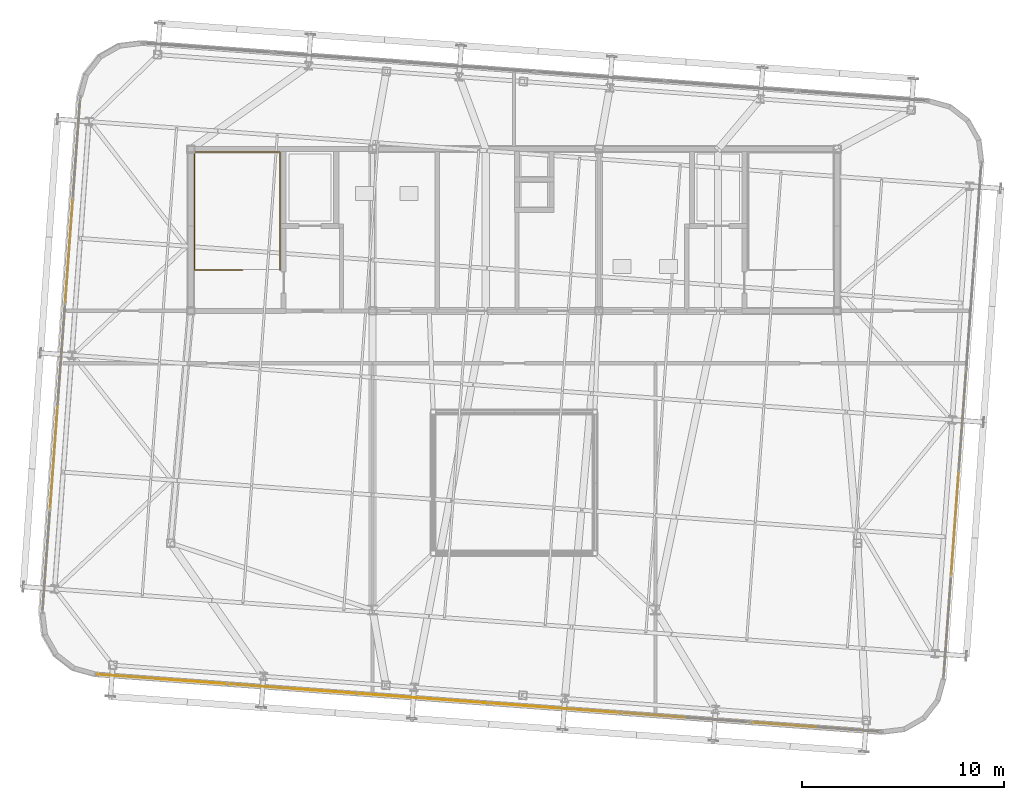
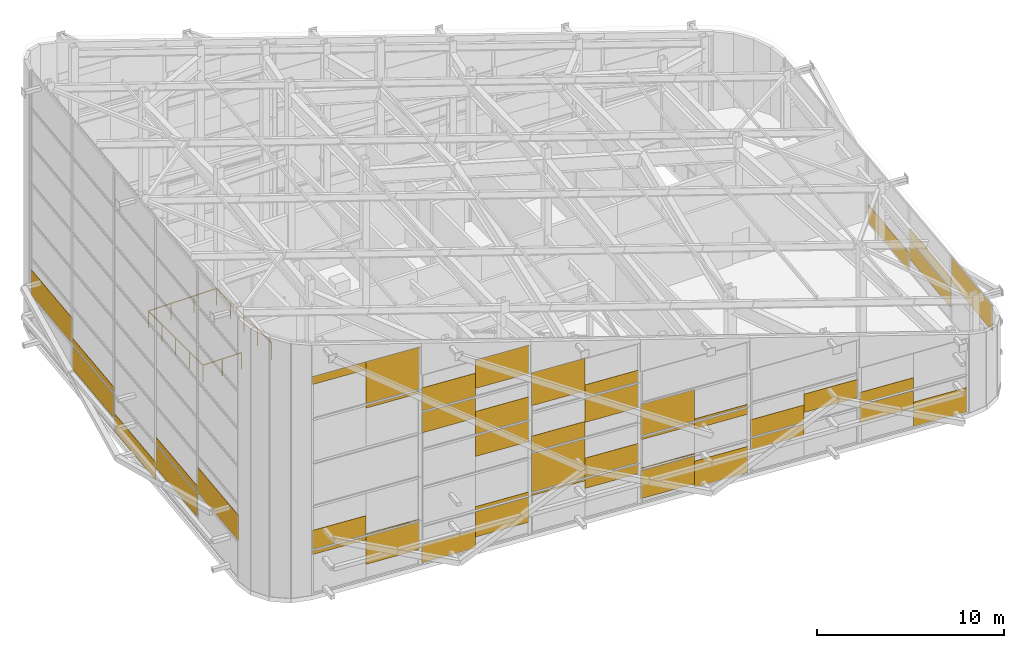
# One storey, part 55 of 56: 47 coverings, 1 railing.
"""IFC4 building model written with IfcOpenShell, lengths in metres."""

from ifc_helpers import new_model, si_unit, direction, frame, origin, origin_2d, place, context, subcontext, project, spatial, rectangle, extrude, source, transform, mapped, material, layer, layer_set, type_object, element, save


model = new_model("IFC4")

# Units and contexts
model_context = context("Model", 3, precision=1e-05, world=origin(), true_north=direction((0.0, 1.0)))
body_context = subcontext(model_context, "Body", "Model", "MODEL_VIEW")
ifc_project = project(units=[si_unit("LENGTHUNIT", "METRE"), si_unit("AREAUNIT", "SQUARE_METRE"), si_unit("VOLUMEUNIT", "CUBIC_METRE"), si_unit("PLANEANGLEUNIT", "RADIAN"), si_unit("MASSUNIT", "GRAM", prefix="KILO")], contexts=[model_context])

# Site, building, storey
site_placement = place(None, origin())
site = spatial("IfcSite", under=ifc_project, at=site_placement, CompositionType="ELEMENT")
building_placement = place(site_placement, origin())
building = spatial("IfcBuilding", under=site, at=building_placement, Name="Taldren Reach Tower", CompositionType="ELEMENT")
storey_placement = place(building_placement, frame((0.0, 0.0, 253.050048828125)))
storey = spatial("IfcBuildingStorey", under=building, at=storey_placement, Name="L77", CompositionType="ELEMENT", Elevation=253.050048828125)

# Railing
ifc_material_1 = material(Name="Steel Gr 350 (C350L0)", Category="steel")
ifc_layer_1 = layer(ifc_material_1, 0.050048828125)
ifc_layer_set_1 = layer_set([ifc_layer_1], Name="Steel Gr 350 (C350L0)")
railing_type = type_object("IfcRailingType", Name="RL-STAIR-GR", PredefinedType="GUARDRAIL", material=ifc_layer_set_1)
railing_placement = place(storey_placement, frame((21.570068359375, 26.010009765625, 0.0)))
element("IfcRailing", 1, at=railing_placement, inside=storey, type_object=railing_type, Name="Top-landing stairwell perimeter guardrail ST1-L77", PredefinedType="GUARDRAIL", context=body_context, shape_type="SweptSolid", body=[
    extrude(rectangle(XDim=0.047852, YDim=0.047852, at=origin_2d()), frame((0.0, 0.0, 1.09619140625), z_axis=(-1.0, 0.0, 0.0), x_axis=(0.0, -1.0, 0.0)), (0.0, 0.0, 1.0), 2.380126953125),
    extrude(rectangle(XDim=0.047852, YDim=0.047852, at=origin_2d()), frame((-2.380126953125, 0.0, 1.09619140625), z_axis=(0.0, 1.0, 0.0), x_axis=(-1.0, 0.0, 0.0)), (0.0, 0.0, 1.0), 5.840087890625),
    extrude(rectangle(XDim=0.047852, YDim=0.047852, at=origin_2d()), frame((-2.380126953125, 5.840087890625, 1.09619140625), z_axis=(1.0, 0.0, 0.0), x_axis=(0.0, 1.0, 0.0)), (0.0, 0.0, 1.0), 4.219970703125),
    extrude(rectangle(XDim=0.047852, YDim=0.047852, at=origin_2d()), frame((1.83984375, 5.840087890625, 1.09619140625), z_axis=(0.0, -1.0, 0.0), x_axis=(1.0, 0.0, 0.0)), (0.0, 0.0, 1.0), 5.840087890625),
    extrude(rectangle(XDim=0.041992, YDim=0.041992, at=origin_2d()), origin(), (0.0, 0.0, 1.0), 1.072021484375),
    extrude(rectangle(XDim=0.041992, YDim=0.041992, at=origin_2d()), frame((-1.18994140625, 0.0, 0.0)), (0.0, 0.0, 1.0), 1.072021484375),
    extrude(rectangle(XDim=0.041992, YDim=0.041992, at=origin_2d()), frame((-2.380126953125, 0.0, 0.0)), (0.0, 0.0, 1.0), 1.072021484375),
    extrude(rectangle(XDim=0.041992, YDim=0.041992, at=origin_2d()), frame((-2.380126953125, 1.4599609375, 0.0)), (0.0, 0.0, 1.0), 1.072021484375),
    extrude(rectangle(XDim=0.041992, YDim=0.041992, at=origin_2d()), frame((-2.380126953125, 2.919921875, 0.0)), (0.0, 0.0, 1.0), 1.072021484375),
    extrude(rectangle(XDim=0.041992, YDim=0.041992, at=origin_2d()), frame((-2.380126953125, 4.380126953125, 0.0)), (0.0, 0.0, 1.0), 1.072021484375),
    extrude(rectangle(XDim=0.041992, YDim=0.041992, at=origin_2d()), frame((-2.380126953125, 5.840087890625, 0.0)), (0.0, 0.0, 1.0), 1.072021484375),
    extrude(rectangle(XDim=0.041992, YDim=0.041992, at=origin_2d()), frame((-0.973388671875, 5.840087890625, 0.0)), (0.0, 0.0, 1.0), 1.072021484375),
    extrude(rectangle(XDim=0.041992, YDim=0.041992, at=origin_2d()), frame((0.43310546875, 5.840087890625, 0.0)), (0.0, 0.0, 1.0), 1.072021484375),
    extrude(rectangle(XDim=0.041992, YDim=0.041992, at=origin_2d()), frame((1.83984375, 5.840087890625, 0.0)), (0.0, 0.0, 1.0), 1.072021484375),
    extrude(rectangle(XDim=0.041992, YDim=0.041992, at=origin_2d()), frame((1.83984375, 4.380126953125, 0.0)), (0.0, 0.0, 1.0), 1.072021484375),
    extrude(rectangle(XDim=0.041992, YDim=0.041992, at=origin_2d()), frame((1.83984375, 2.919921875, 0.0)), (0.0, 0.0, 1.0), 1.072021484375),
    extrude(rectangle(XDim=0.041992, YDim=0.041992, at=origin_2d()), frame((1.83984375, 1.4599609375, 0.0)), (0.0, 0.0, 1.0), 1.072021484375),
    extrude(rectangle(XDim=0.041992, YDim=0.041992, at=origin_2d()), frame((1.83984375, 0.0, 0.0)), (0.0, 0.0, 1.0), 1.072021484375),
])

# Coverings
ifc_material_2 = material(Name="Pale Champagne Fluoropolymer Aluminium Spandrel Cladding", Category="aluminium")
ifc_layer_2 = layer(ifc_material_2, 0.0439453125)
ifc_layer_set_2 = layer_set([ifc_layer_2], Name="Pale Champagne Fluoropolymer Aluminium Spandrel Cladding")
covering_type = type_object("IfcCoveringType", Name="CV-CLAD-044", PredefinedType="CLADDING", material=ifc_layer_set_2)
shared_shape_1 = source(origin(), body_context, "Body", "SweptSolid", [
    extrude(rectangle(XDim=5.044921875, YDim=0.0439453125, at=origin_2d()), origin(), (0.0, 0.0, 1.0), 1.2021484375),
])
covering_1_placement = place(storey_placement, frame((56.824951171875, 13.4560546875, 0.890380859375), z_axis=(0.0, 0.0, 1.0), x_axis=(0.073238282558, 0.997314470951, 0.0)))
element("IfcCovering", 2, at=covering_1_placement, inside=storey, type_object=covering_type, Name="Diagrid closure cladding strip CW-8 panel 2.1 1", PredefinedType="CLADDING", context=body_context, shape_type="MappedRepresentation", body=[
    mapped(shared_shape_1, transform((0.0, 0.0, 0.0), scale=1.0)),
])
shared_shape_2 = source(origin(), body_context, "Body", "SweptSolid", [
    extrude(rectangle(XDim=5.044921875, YDim=0.0439453125, at=origin_2d()), origin(), (0.0, 0.0, 1.0), 1.157958984375),
])
for number, where, z_axis, x_axis, name in (
    (3, (57.199951171875, 18.5625, 0.06005859375), (0.0, 0.0, 1.0), (0.073238282558, 0.997314470951, 0.0), "Diagrid closure cladding strip CW-8 panel 3.1 1"),
    (4, (12.60009765625, 21.837646484375, 0.06005859375), (0.0, 0.0, 1.0), (-0.073238282558, -0.997314470951, 0.0), "Diagrid closure cladding strip CW-8 panel 3.1 1"),
):
    element("IfcCovering", number, at=place(storey_placement, frame(where, z_axis=z_axis, x_axis=x_axis)), inside=storey, type_object=covering_type, Name=name, PredefinedType="CLADDING", context=body_context, shape_type="MappedRepresentation", body=[
        mapped(shared_shape_2, transform((0.0, 0.0, 0.0), scale=1.0)),
    ])
shared_shape_3 = source(origin(), body_context, "Body", "SweptSolid", [
    extrude(rectangle(XDim=5.007568359375, YDim=0.0439453125, at=origin_2d()), origin(), (0.0, 0.0, 1.0), 1.686279296875),
])
covering_2_placement = place(storey_placement, frame((56.451416015625, 8.36865234375, 2.55859375), z_axis=(0.0, 0.0, 1.0), x_axis=(0.073238282558, 0.997314470951, 0.0)))
element("IfcCovering", 5, at=covering_2_placement, inside=storey, type_object=covering_type, Name="Diagrid closure cladding strip CW-8 panel 1.1 1", PredefinedType="CLADDING", context=body_context, shape_type="MappedRepresentation", body=[
    mapped(shared_shape_3, transform((0.0, 0.0, 0.0), scale=1.0)),
])
shared_shape_4 = source(origin(), body_context, "Body", "SweptSolid", [
    extrude(rectangle(XDim=5.044921875, YDim=0.0439453125, at=origin_2d()), origin(), (0.0, 0.0, 1.0), 0.673828125),
])
covering_3_placement = place(storey_placement, frame((56.824951171875, 13.4560546875, 2.21240234375), z_axis=(0.0, 0.0, 1.0), x_axis=(0.073238282558, 0.997314470951, 0.0)))
element("IfcCovering", 6, at=covering_3_placement, inside=storey, type_object=covering_type, Name="Diagrid closure cladding strip CW-8 panel 2.1 1", PredefinedType="CLADDING", context=body_context, shape_type="MappedRepresentation", body=[
    mapped(shared_shape_4, transform((0.0, 0.0, 0.0), scale=1.0)),
])
shared_shape_5 = source(origin(), body_context, "Body", "SweptSolid", [
    extrude(rectangle(XDim=5.044921875, YDim=0.0439453125, at=origin_2d()), origin(), (0.0, 0.0, 1.0), 1.495849609375),
])
for number, where, z_axis, x_axis, name in (
    (7, (12.97509765625, 26.94384765625, 0.890625), (0.0, 0.0, 1.0), (-0.073238282558, -0.997314470951, 0.0), "Diagrid closure cladding strip CW-8 panel 2.1 1"),
    (8, (12.22509765625, 16.7314453125, 0.890625), (0.0, 0.0, 1.0), (-0.073238282558, -0.997314470951, 0.0), "Diagrid closure cladding strip CW-8 panel 4.1 1"),
):
    element("IfcCovering", number, at=place(storey_placement, frame(where, z_axis=z_axis, x_axis=x_axis)), inside=storey, type_object=covering_type, Name=name, PredefinedType="CLADDING", context=body_context, shape_type="MappedRepresentation", body=[
        mapped(shared_shape_5, transform((0.0, 0.0, 0.0), scale=1.0)),
    ])
shared_shape_6 = source(origin(), body_context, "Body", "SweptSolid", [
    extrude(rectangle(XDim=5.007568359375, YDim=0.0439453125, at=origin_2d()), origin(), (0.0, 0.0, 1.0), 1.653076171875),
])
for number, where, z_axis, x_axis, name in (
    (9, (13.3486328125, 32.031494140625, 2.50634765625), (0.0, 0.0, 1.0), (-0.073238282558, -0.997314470951, 0.0), "Diagrid closure cladding strip CW-8 panel 1.1 1"),
    (10, (11.8515625, 11.643798828125, 2.50634765625), (0.0, 0.0, 1.0), (-0.073238282558, -0.997314470951, 0.0), "Diagrid closure cladding strip CW-8 panel 5.1 1"),
):
    element("IfcCovering", number, at=place(storey_placement, frame(where, z_axis=z_axis, x_axis=x_axis)), inside=storey, type_object=covering_type, Name=name, PredefinedType="CLADDING", context=body_context, shape_type="MappedRepresentation", body=[
        mapped(shared_shape_6, transform((0.0, 0.0, 0.0), scale=1.0)),
    ])
shared_shape_7 = source(origin(), body_context, "Body", "SweptSolid", [
    extrude(rectangle(XDim=5.044921875, YDim=0.0439453125, at=origin_2d()), origin(), (0.0, 0.0, 1.0), 0.3798828125),
])
for number, where, z_axis, x_axis, name in (
    (11, (12.97509765625, 26.94384765625, 2.50634765625), (0.0, 0.0, 1.0), (-0.073238282558, -0.997314470951, 0.0), "Diagrid closure cladding strip CW-8 panel 2.1 1"),
    (12, (12.22509765625, 16.7314453125, 2.50634765625), (0.0, 0.0, 1.0), (-0.073238282558, -0.997314470951, 0.0), "Diagrid closure cladding strip CW-8 panel 4.1 1"),
):
    element("IfcCovering", number, at=place(storey_placement, frame(where, z_axis=z_axis, x_axis=x_axis)), inside=storey, type_object=covering_type, Name=name, PredefinedType="CLADDING", context=body_context, shape_type="MappedRepresentation", body=[
        mapped(shared_shape_7, transform((0.0, 0.0, 0.0), scale=1.0)),
    ])
shared_shape_8 = source(origin(), body_context, "Body", "SweptSolid", [
    extrude(rectangle(XDim=3.175048828125, YDim=0.0439453125, at=origin_2d()), origin(), (0.0, 0.0, 1.0), 0.21337890625),
])
covering_4_placement = place(storey_placement, frame((15.96337890625, 5.888427734375, 2.574951171875), z_axis=(0.0, 0.0, 1.0), x_axis=(0.997314454527, -0.073238506213, 0.0)))
element("IfcCovering", 13, at=covering_4_placement, inside=storey, type_object=covering_type, Name="Diagrid closure cladding strip CW-8 panel 1.1 1", PredefinedType="CLADDING", context=body_context, shape_type="MappedRepresentation", body=[
    mapped(shared_shape_8, transform((0.0, 0.0, 0.0), scale=1.0)),
])
shared_shape_9 = source(origin(), body_context, "Body", "SweptSolid", [
    extrude(rectangle(XDim=3.175048828125, YDim=0.0439453125, at=origin_2d()), origin(), (0.0, 0.0, 1.0), 1.81787109375),
])
covering_5_placement = place(storey_placement, frame((19.1298828125, 5.656005859375, 0.970458984375), z_axis=(0.0, 0.0, 1.0), x_axis=(0.997314454527, -0.073238506213, 0.0)))
element("IfcCovering", 14, at=covering_5_placement, inside=storey, type_object=covering_type, Name="Diagrid closure cladding strip CW-8 panel 1.1 2", PredefinedType="CLADDING", context=body_context, shape_type="MappedRepresentation", body=[
    mapped(shared_shape_9, transform((0.0, 0.0, 0.0), scale=1.0)),
])
shared_shape_10 = source(origin(), body_context, "Body", "SweptSolid", [
    extrude(rectangle(XDim=3.175048828125, YDim=0.0439453125, at=origin_2d()), origin(), (0.0, 0.0, 1.0), 1.24169921875),
])
covering_6_placement = place(storey_placement, frame((15.96337890625, 5.888427734375, 2.908203125), z_axis=(0.0, 0.0, 1.0), x_axis=(0.997314454527, -0.073238506213, 0.0)))
element("IfcCovering", 15, at=covering_6_placement, inside=storey, type_object=covering_type, Name="Diagrid closure cladding strip CW-8 panel 1.1 1", PredefinedType="CLADDING", context=body_context, shape_type="MappedRepresentation", body=[
    mapped(shared_shape_10, transform((0.0, 0.0, 0.0), scale=1.0)),
])
shared_shape_11 = source(origin(), body_context, "Body", "SweptSolid", [
    extrude(rectangle(XDim=3.175048828125, YDim=0.0439453125, at=origin_2d()), origin(), (0.0, 0.0, 1.0), 0.04052734375),
])
covering_7_placement = place(storey_placement, frame((19.1298828125, 5.656005859375, 2.908447265625), z_axis=(0.0, 0.0, 1.0), x_axis=(0.997314454527, -0.073238506213, 0.0)))
element("IfcCovering", 16, at=covering_7_placement, inside=storey, type_object=covering_type, Name="Diagrid closure cladding strip CW-8 panel 1.1 2", PredefinedType="CLADDING", context=body_context, shape_type="MappedRepresentation", body=[
    mapped(shared_shape_11, transform((0.0, 0.0, 0.0), scale=1.0)),
])
shared_shape_12 = source(origin(), body_context, "Body", "SweptSolid", [
    extrude(rectangle(XDim=3.175048828125, YDim=0.0439453125, at=origin_2d()), origin(), (0.0, 0.0, 1.0), 0.175537109375),
])
covering_8_placement = place(storey_placement, frame((19.1298828125, 5.656005859375, 11.15771484375), z_axis=(0.0, 0.0, 1.0), x_axis=(0.997314454527, -0.073238506213, 0.0)))
element("IfcCovering", 17, at=covering_8_placement, inside=storey, type_object=covering_type, Name="Diagrid closure cladding strip CW-8 panel 1.1 1", PredefinedType="CLADDING", context=body_context, shape_type="MappedRepresentation", body=[
    mapped(shared_shape_12, transform((0.0, 0.0, 0.0), scale=1.0)),
])
shared_shape_13 = source(origin(), body_context, "Body", "SweptSolid", [
    extrude(rectangle(XDim=3.175048828125, YDim=0.0439453125, at=origin_2d()), origin(), (0.0, 0.0, 1.0), 0.51708984375),
])
covering_9_placement = place(storey_placement, frame((15.96337890625, 5.888427734375, 13.664306640625), z_axis=(0.0, 0.0, 1.0), x_axis=(0.997314454527, -0.073238506213, 0.0)))
element("IfcCovering", 18, at=covering_9_placement, inside=storey, type_object=covering_type, Name="Diagrid closure cladding strip CW-8 panel 1.1 1", PredefinedType="CLADDING", context=body_context, shape_type="MappedRepresentation", body=[
    mapped(shared_shape_13, transform((0.0, 0.0, 0.0), scale=1.0)),
])
shared_shape_14 = source(origin(), body_context, "Body", "SweptSolid", [
    extrude(rectangle(XDim=3.175048828125, YDim=0.0439453125, at=origin_2d()), origin(), (0.0, 0.0, 1.0), 2.728271484375),
])
covering_10_placement = place(storey_placement, frame((19.1298828125, 5.656005859375, 11.453125), z_axis=(0.0, 0.0, 1.0), x_axis=(0.997314454527, -0.073238506213, 0.0)))
element("IfcCovering", 19, at=covering_10_placement, inside=storey, type_object=covering_type, Name="Diagrid closure cladding strip CW-8 panel 1.1 2", PredefinedType="CLADDING", context=body_context, shape_type="MappedRepresentation", body=[
    mapped(shared_shape_14, transform((0.0, 0.0, 0.0), scale=1.0)),
])
shared_shape_15 = source(origin(), body_context, "Body", "SweptSolid", [
    extrude(rectangle(XDim=3.175048828125, YDim=0.0439453125, at=origin_2d()), origin(), (0.0, 0.0, 1.0), 1.208740234375),
])
covering_11_placement = place(storey_placement, frame((22.446044921875, 5.412353515625, 0.06005859375), z_axis=(0.0, 0.0, 1.0), x_axis=(0.997314462779, -0.073238393838, 0.0)))
element("IfcCovering", 20, at=covering_11_placement, inside=storey, type_object=covering_type, Name="Diagrid closure cladding strip CW-8 panel 1.1 1", PredefinedType="CLADDING", context=body_context, shape_type="MappedRepresentation", body=[
    mapped(shared_shape_15, transform((0.0, 0.0, 0.0), scale=1.0)),
])
shared_shape_16 = source(origin(), body_context, "Body", "SweptSolid", [
    extrude(rectangle(XDim=3.175048828125, YDim=0.0439453125, at=origin_2d()), origin(), (0.0, 0.0, 1.0), 1.639892578125),
])
covering_12_placement = place(storey_placement, frame((25.612548828125, 5.179931640625, 0.77587890625), z_axis=(0.0, 0.0, 1.0), x_axis=(0.997314462779, -0.073238393838, 0.0)))
element("IfcCovering", 21, at=covering_12_placement, inside=storey, type_object=covering_type, Name="Diagrid closure cladding strip CW-8 panel 1.1 2", PredefinedType="CLADDING", context=body_context, shape_type="MappedRepresentation", body=[
    mapped(shared_shape_16, transform((0.0, 0.0, 0.0), scale=1.0)),
])
shared_shape_17 = source(origin(), body_context, "Body", "SweptSolid", [
    extrude(rectangle(XDim=3.175048828125, YDim=0.0439453125, at=origin_2d()), origin(), (0.0, 0.0, 1.0), 0.21875),
])
covering_13_placement = place(storey_placement, frame((25.612548828125, 5.179931640625, 2.53564453125), z_axis=(0.0, 0.0, 1.0), x_axis=(0.997314462779, -0.073238393838, 0.0)))
element("IfcCovering", 22, at=covering_13_placement, inside=storey, type_object=covering_type, Name="Diagrid closure cladding strip CW-8 panel 1.1 1", PredefinedType="CLADDING", context=body_context, shape_type="MappedRepresentation", body=[
    mapped(shared_shape_17, transform((0.0, 0.0, 0.0), scale=1.0)),
])
shared_shape_18 = source(origin(), body_context, "Body", "SweptSolid", [
    extrude(rectangle(XDim=3.175048828125, YDim=0.0439453125, at=origin_2d()), origin(), (0.0, 0.0, 1.0), 1.3408203125),
])
covering_14_placement = place(storey_placement, frame((25.612548828125, 5.179931640625, 6.026123046875), z_axis=(0.0, 0.0, 1.0), x_axis=(0.997314462779, -0.073238393838, 0.0)))
element("IfcCovering", 23, at=covering_14_placement, inside=storey, type_object=covering_type, Name="Diagrid closure cladding strip CW-8 panel 1.1 1", PredefinedType="CLADDING", context=body_context, shape_type="MappedRepresentation", body=[
    mapped(shared_shape_18, transform((0.0, 0.0, 0.0), scale=1.0)),
])
shared_shape_19 = source(origin(), body_context, "Body", "SweptSolid", [
    extrude(rectangle(XDim=3.175048828125, YDim=0.0439453125, at=origin_2d()), origin(), (0.0, 0.0, 1.0), 1.309814453125),
])
covering_15_placement = place(storey_placement, frame((22.446044921875, 5.412353515625, 8.53271484375), z_axis=(0.0, 0.0, 1.0), x_axis=(0.997314462779, -0.073238393838, 0.0)))
element("IfcCovering", 24, at=covering_15_placement, inside=storey, type_object=covering_type, Name="Diagrid closure cladding strip CW-8 panel 1.1 1", PredefinedType="CLADDING", context=body_context, shape_type="MappedRepresentation", body=[
    mapped(shared_shape_19, transform((0.0, 0.0, 0.0), scale=1.0)),
])
shared_shape_20 = source(origin(), body_context, "Body", "SweptSolid", [
    extrude(rectangle(XDim=3.175048828125, YDim=0.0439453125, at=origin_2d()), origin(), (0.0, 0.0, 1.0), 1.469970703125),
])
covering_16_placement = place(storey_placement, frame((25.612548828125, 5.179931640625, 7.48681640625), z_axis=(0.0, 0.0, 1.0), x_axis=(0.997314462779, -0.073238393838, 0.0)))
element("IfcCovering", 25, at=covering_16_placement, inside=storey, type_object=covering_type, Name="Diagrid closure cladding strip CW-8 panel 1.1 2", PredefinedType="CLADDING", context=body_context, shape_type="MappedRepresentation", body=[
    mapped(shared_shape_20, transform((0.0, 0.0, 0.0), scale=1.0)),
])
shared_shape_21 = source(origin(), body_context, "Body", "SweptSolid", [
    extrude(rectangle(XDim=3.175048828125, YDim=0.0439453125, at=origin_2d()), origin(), (0.0, 0.0, 1.0), 1.500732421875),
])
covering_17_placement = place(storey_placement, frame((22.446044921875, 5.412353515625, 9.96240234375), z_axis=(0.0, 0.0, 1.0), x_axis=(0.997314462779, -0.073238393838, 0.0)))
element("IfcCovering", 26, at=covering_17_placement, inside=storey, type_object=covering_type, Name="Diagrid closure cladding strip CW-8 panel 1.1 1", PredefinedType="CLADDING", context=body_context, shape_type="MappedRepresentation", body=[
    mapped(shared_shape_21, transform((0.0, 0.0, 0.0), scale=1.0)),
])
shared_shape_22 = source(origin(), body_context, "Body", "SweptSolid", [
    extrude(rectangle(XDim=3.175048828125, YDim=0.0439453125, at=origin_2d()), origin(), (0.0, 0.0, 1.0), 1.851806640625),
])
covering_18_placement = place(storey_placement, frame((25.612548828125, 5.179931640625, 10.46630859375), z_axis=(0.0, 0.0, 1.0), x_axis=(0.997314462779, -0.073238393838, 0.0)))
element("IfcCovering", 27, at=covering_18_placement, inside=storey, type_object=covering_type, Name="Diagrid closure cladding strip CW-8 panel 1.1 2", PredefinedType="CLADDING", context=body_context, shape_type="MappedRepresentation", body=[
    mapped(shared_shape_22, transform((0.0, 0.0, 0.0), scale=1.0)),
])
shared_shape_23 = source(origin(), body_context, "Body", "SweptSolid", [
    extrude(rectangle(XDim=3.175048828125, YDim=0.0439453125, at=origin_2d()), origin(), (0.0, 0.0, 1.0), 0.112548828125),
])
covering_19_placement = place(storey_placement, frame((28.928466796875, 4.936279296875, 2.4560546875), z_axis=(0.0, 0.0, 1.0), x_axis=(0.997314566898, -0.073236975997, 0.0)))
element("IfcCovering", 28, at=covering_19_placement, inside=storey, type_object=covering_type, Name="Diagrid closure cladding strip CW-8 panel 1.1 1", PredefinedType="CLADDING", context=body_context, shape_type="MappedRepresentation", body=[
    mapped(shared_shape_23, transform((0.0, 0.0, 0.0), scale=1.0)),
])
shared_shape_24 = source(origin(), body_context, "Body", "SweptSolid", [
    extrude(rectangle(XDim=3.175048828125, YDim=0.0439453125, at=origin_2d()), origin(), (0.0, 0.0, 1.0), 0.60791015625),
])
covering_20_placement = place(storey_placement, frame((32.094970703125, 4.703857421875, 1.960693359375), z_axis=(0.0, 0.0, 1.0), x_axis=(0.997314566898, -0.073236975997, 0.0)))
element("IfcCovering", 29, at=covering_20_placement, inside=storey, type_object=covering_type, Name="Diagrid closure cladding strip CW-8 panel 1.1 2", PredefinedType="CLADDING", context=body_context, shape_type="MappedRepresentation", body=[
    mapped(shared_shape_24, transform((0.0, 0.0, 0.0), scale=1.0)),
])
shared_shape_25 = source(origin(), body_context, "Body", "SweptSolid", [
    extrude(rectangle(XDim=3.175048828125, YDim=0.0439453125, at=origin_2d()), origin(), (0.0, 0.0, 1.0), 2.5087890625),
])
covering_21_placement = place(storey_placement, frame((28.928466796875, 4.936279296875, 2.688720703125), z_axis=(0.0, 0.0, 1.0), x_axis=(0.997314566898, -0.073236975997, 0.0)))
element("IfcCovering", 30, at=covering_21_placement, inside=storey, type_object=covering_type, Name="Diagrid closure cladding strip CW-8 panel 1.1 1", PredefinedType="CLADDING", context=body_context, shape_type="MappedRepresentation", body=[
    mapped(shared_shape_25, transform((0.0, 0.0, 0.0), scale=1.0)),
])
shared_shape_26 = source(origin(), body_context, "Body", "SweptSolid", [
    extrude(rectangle(XDim=3.175048828125, YDim=0.0439453125, at=origin_2d()), origin(), (0.0, 0.0, 1.0), 1.250732421875),
])
covering_22_placement = place(storey_placement, frame((32.094970703125, 4.703857421875, 2.6884765625), z_axis=(0.0, 0.0, 1.0), x_axis=(0.997314566898, -0.073236975997, 0.0)))
element("IfcCovering", 31, at=covering_22_placement, inside=storey, type_object=covering_type, Name="Diagrid closure cladding strip CW-8 panel 1.1 2", PredefinedType="CLADDING", context=body_context, shape_type="MappedRepresentation", body=[
    mapped(shared_shape_26, transform((0.0, 0.0, 0.0), scale=1.0)),
])
shared_shape_27 = source(origin(), body_context, "Body", "SweptSolid", [
    extrude(rectangle(XDim=3.175048828125, YDim=0.0439453125, at=origin_2d()), origin(), (0.0, 0.0, 1.0), 1.014404296875),
])
covering_23_placement = place(storey_placement, frame((28.928466796875, 4.936279296875, 5.3173828125), z_axis=(0.0, 0.0, 1.0), x_axis=(0.997314566898, -0.073236975997, 0.0)))
element("IfcCovering", 32, at=covering_23_placement, inside=storey, type_object=covering_type, Name="Diagrid closure cladding strip CW-8 panel 1.1 1", PredefinedType="CLADDING", context=body_context, shape_type="MappedRepresentation", body=[
    mapped(shared_shape_27, transform((0.0, 0.0, 0.0), scale=1.0)),
])
shared_shape_28 = source(origin(), body_context, "Body", "SweptSolid", [
    extrude(rectangle(XDim=3.175048828125, YDim=0.0439453125, at=origin_2d()), origin(), (0.0, 0.0, 1.0), 1.5595703125),
])
covering_24_placement = place(storey_placement, frame((32.094970703125, 4.703857421875, 6.2666015625), z_axis=(0.0, 0.0, 1.0), x_axis=(0.997314566898, -0.073236975997, 0.0)))
element("IfcCovering", 33, at=covering_24_placement, inside=storey, type_object=covering_type, Name="Diagrid closure cladding strip CW-8 panel 1.1 2", PredefinedType="CLADDING", context=body_context, shape_type="MappedRepresentation", body=[
    mapped(shared_shape_28, transform((0.0, 0.0, 0.0), scale=1.0)),
])
shared_shape_29 = source(origin(), body_context, "Body", "SweptSolid", [
    extrude(rectangle(XDim=3.175048828125, YDim=0.0439453125, at=origin_2d()), origin(), (0.0, 0.0, 1.0), 2.13671875),
])
covering_25_placement = place(storey_placement, frame((28.928466796875, 4.936279296875, 8.318115234375), z_axis=(0.0, 0.0, 1.0), x_axis=(0.997314566898, -0.073236975997, 0.0)))
element("IfcCovering", 34, at=covering_25_placement, inside=storey, type_object=covering_type, Name="Diagrid closure cladding strip CW-8 panel 1.1 1", PredefinedType="CLADDING", context=body_context, shape_type="MappedRepresentation", body=[
    mapped(shared_shape_29, transform((0.0, 0.0, 0.0), scale=1.0)),
])
shared_shape_30 = source(origin(), body_context, "Body", "SweptSolid", [
    extrude(rectangle(XDim=3.175048828125, YDim=0.0439453125, at=origin_2d()), origin(), (0.0, 0.0, 1.0), 0.768798828125),
])
covering_26_placement = place(storey_placement, frame((32.094970703125, 4.703857421875, 7.9462890625), z_axis=(0.0, 0.0, 1.0), x_axis=(0.997314566898, -0.073236975997, 0.0)))
element("IfcCovering", 35, at=covering_26_placement, inside=storey, type_object=covering_type, Name="Diagrid closure cladding strip CW-8 panel 1.1 2", PredefinedType="CLADDING", context=body_context, shape_type="MappedRepresentation", body=[
    mapped(shared_shape_30, transform((0.0, 0.0, 0.0), scale=1.0)),
])
shared_shape_31 = source(origin(), body_context, "Body", "SweptSolid", [
    extrude(rectangle(XDim=3.175048828125, YDim=0.0439453125, at=origin_2d()), origin(), (0.0, 0.0, 1.0), 1.822265625),
])
covering_27_placement = place(storey_placement, frame((35.4111328125, 4.460205078125, 0.280517578125), z_axis=(0.0, 0.0, 1.0), x_axis=(0.997314454527, -0.073238506213, 0.0)))
element("IfcCovering", 36, at=covering_27_placement, inside=storey, type_object=covering_type, Name="Diagrid closure cladding strip CW-8 panel 1.1 1", PredefinedType="CLADDING", context=body_context, shape_type="MappedRepresentation", body=[
    mapped(shared_shape_31, transform((0.0, 0.0, 0.0), scale=1.0)),
])
shared_shape_32 = source(origin(), body_context, "Body", "SweptSolid", [
    extrude(rectangle(XDim=3.175048828125, YDim=0.0439453125, at=origin_2d()), origin(), (0.0, 0.0, 1.0), 1.703857421875),
])
covering_28_placement = place(storey_placement, frame((38.57763671875, 4.227783203125, 0.06005859375), z_axis=(0.0, 0.0, 1.0), x_axis=(0.997314454527, -0.073238506213, 0.0)))
element("IfcCovering", 37, at=covering_28_placement, inside=storey, type_object=covering_type, Name="Diagrid closure cladding strip CW-8 panel 1.1 2", PredefinedType="CLADDING", context=body_context, shape_type="MappedRepresentation", body=[
    mapped(shared_shape_32, transform((0.0, 0.0, 0.0), scale=1.0)),
])
shared_shape_33 = source(origin(), body_context, "Body", "SweptSolid", [
    extrude(rectangle(XDim=3.175048828125, YDim=0.0439453125, at=origin_2d()), origin(), (0.0, 0.0, 1.0), 0.036376953125),
])
covering_29_placement = place(storey_placement, frame((35.4111328125, 4.460205078125, 2.22265625), z_axis=(0.0, 0.0, 1.0), x_axis=(0.997314454527, -0.073238506213, 0.0)))
element("IfcCovering", 38, at=covering_29_placement, inside=storey, type_object=covering_type, Name="Diagrid closure cladding strip CW-8 panel 1.1 1", PredefinedType="CLADDING", context=body_context, shape_type="MappedRepresentation", body=[
    mapped(shared_shape_33, transform((0.0, 0.0, 0.0), scale=1.0)),
])
shared_shape_34 = source(origin(), body_context, "Body", "SweptSolid", [
    extrude(rectangle(XDim=3.175048828125, YDim=0.0439453125, at=origin_2d()), origin(), (0.0, 0.0, 1.0), 0.147705078125),
])
covering_30_placement = place(storey_placement, frame((35.4111328125, 4.460205078125, 4.1181640625), z_axis=(0.0, 0.0, 1.0), x_axis=(0.997314454527, -0.073238506213, 0.0)))
element("IfcCovering", 39, at=covering_30_placement, inside=storey, type_object=covering_type, Name="Diagrid closure cladding strip CW-8 panel 1.1 2", PredefinedType="CLADDING", context=body_context, shape_type="MappedRepresentation", body=[
    mapped(shared_shape_34, transform((0.0, 0.0, 0.0), scale=1.0)),
])
shared_shape_35 = source(origin(), body_context, "Body", "SweptSolid", [
    extrude(rectangle(XDim=3.175048828125, YDim=0.0439453125, at=origin_2d()), origin(), (0.0, 0.0, 1.0), 0.4072265625),
])
covering_31_placement = place(storey_placement, frame((38.57763671875, 4.227783203125, 3.8583984375), z_axis=(0.0, 0.0, 1.0), x_axis=(0.997314454527, -0.073238506213, 0.0)))
element("IfcCovering", 40, at=covering_31_placement, inside=storey, type_object=covering_type, Name="Diagrid closure cladding strip CW-8 panel 1.1 3", PredefinedType="CLADDING", context=body_context, shape_type="MappedRepresentation", body=[
    mapped(shared_shape_35, transform((0.0, 0.0, 0.0), scale=1.0)),
])
shared_shape_36 = source(origin(), body_context, "Body", "SweptSolid", [
    extrude(rectangle(XDim=3.175048828125, YDim=0.0439453125, at=origin_2d()), origin(), (0.0, 0.0, 1.0), 2.04296875),
])
covering_32_placement = place(storey_placement, frame((35.4111328125, 4.460205078125, 4.3857421875), z_axis=(0.0, 0.0, 1.0), x_axis=(0.997314454527, -0.073238506213, 0.0)))
element("IfcCovering", 41, at=covering_32_placement, inside=storey, type_object=covering_type, Name="Diagrid closure cladding strip CW-8 panel 1.1 1", PredefinedType="CLADDING", context=body_context, shape_type="MappedRepresentation", body=[
    mapped(shared_shape_36, transform((0.0, 0.0, 0.0), scale=1.0)),
])
shared_shape_37 = source(origin(), body_context, "Body", "SweptSolid", [
    extrude(rectangle(XDim=3.175048828125, YDim=0.0439453125, at=origin_2d()), origin(), (0.0, 0.0, 1.0), 0.12939453125),
])
covering_33_placement = place(storey_placement, frame((38.57763671875, 4.227783203125, 4.3857421875), z_axis=(0.0, 0.0, 1.0), x_axis=(0.997314454527, -0.073238506213, 0.0)))
element("IfcCovering", 42, at=covering_33_placement, inside=storey, type_object=covering_type, Name="Diagrid closure cladding strip CW-8 panel 1.1 2", PredefinedType="CLADDING", context=body_context, shape_type="MappedRepresentation", body=[
    mapped(shared_shape_37, transform((0.0, 0.0, 0.0), scale=1.0)),
])
shared_shape_38 = source(origin(), body_context, "Body", "SweptSolid", [
    extrude(rectangle(XDim=3.175048828125, YDim=0.0439453125, at=origin_2d()), origin(), (0.0, 0.0, 1.0), 0.737060546875),
])
covering_34_placement = place(storey_placement, frame((41.8935546875, 3.984130859375, 1.4658203125), z_axis=(0.0, 0.0, 1.0), x_axis=(0.997314462779, -0.073238393838, 0.0)))
element("IfcCovering", 43, at=covering_34_placement, inside=storey, type_object=covering_type, Name="Diagrid closure cladding strip CW-8 panel 1.1 1", PredefinedType="CLADDING", context=body_context, shape_type="MappedRepresentation", body=[
    mapped(shared_shape_38, transform((0.0, 0.0, 0.0), scale=1.0)),
])
shared_shape_39 = source(origin(), body_context, "Body", "SweptSolid", [
    extrude(rectangle(XDim=3.175048828125, YDim=0.0439453125, at=origin_2d()), origin(), (0.0, 0.0, 1.0), 1.121337890625),
])
covering_35_placement = place(storey_placement, frame((41.8935546875, 3.984130859375, 2.32275390625), z_axis=(0.0, 0.0, 1.0), x_axis=(0.997314462779, -0.073238393838, 0.0)))
element("IfcCovering", 44, at=covering_35_placement, inside=storey, type_object=covering_type, Name="Diagrid closure cladding strip CW-8 panel 1.1 1", PredefinedType="CLADDING", context=body_context, shape_type="MappedRepresentation", body=[
    mapped(shared_shape_39, transform((0.0, 0.0, 0.0), scale=1.0)),
])
shared_shape_40 = source(origin(), body_context, "Body", "SweptSolid", [
    extrude(rectangle(XDim=3.175048828125, YDim=0.0439453125, at=origin_2d()), origin(), (0.0, 0.0, 1.0), 1.19873046875),
])
covering_36_placement = place(storey_placement, frame((45.06005859375, 3.751708984375, 2.951171875), z_axis=(0.0, 0.0, 1.0), x_axis=(0.997314462779, -0.073238393838, 0.0)))
element("IfcCovering", 45, at=covering_36_placement, inside=storey, type_object=covering_type, Name="Diagrid closure cladding strip CW-8 panel 1.1 2", PredefinedType="CLADDING", context=body_context, shape_type="MappedRepresentation", body=[
    mapped(shared_shape_40, transform((0.0, 0.0, 0.0), scale=1.0)),
])
shared_shape_41 = source(origin(), body_context, "Body", "SweptSolid", [
    extrude(rectangle(XDim=3.175048828125, YDim=0.0439453125, at=origin_2d()), origin(), (0.0, 0.0, 1.0), 1.13134765625),
])
covering_37_placement = place(storey_placement, frame((48.376220703125, 3.50830078125, 1.27099609375), z_axis=(0.0, 0.0, 1.0), x_axis=(0.997314454527, -0.073238506213, 0.0)))
element("IfcCovering", 46, at=covering_37_placement, inside=storey, type_object=covering_type, Name="Diagrid closure cladding strip CW-8 panel 1.1 1", PredefinedType="CLADDING", context=body_context, shape_type="MappedRepresentation", body=[
    mapped(shared_shape_41, transform((0.0, 0.0, 0.0), scale=1.0)),
])
shared_shape_42 = source(origin(), body_context, "Body", "SweptSolid", [
    extrude(rectangle(XDim=3.175048828125, YDim=0.0439453125, at=origin_2d()), origin(), (0.0, 0.0, 1.0), 1.585205078125),
])
covering_38_placement = place(storey_placement, frame((51.542724609375, 3.275634765625, 0.06005859375), z_axis=(0.0, 0.0, 1.0), x_axis=(0.997314454527, -0.073238506213, 0.0)))
element("IfcCovering", 47, at=covering_38_placement, inside=storey, type_object=covering_type, Name="Diagrid closure cladding strip CW-8 panel 1.1 2", PredefinedType="CLADDING", context=body_context, shape_type="MappedRepresentation", body=[
    mapped(shared_shape_42, transform((0.0, 0.0, 0.0), scale=1.0)),
])
shared_shape_43 = source(origin(), body_context, "Body", "SweptSolid", [
    extrude(rectangle(XDim=3.175048828125, YDim=0.0439453125, at=origin_2d()), origin(), (0.0, 0.0, 1.0), 0.727294921875),
])
covering_39_placement = place(storey_placement, frame((48.376220703125, 3.50830078125, 2.5224609375), z_axis=(0.0, 0.0, 1.0), x_axis=(0.997314454527, -0.073238506213, 0.0)))
element("IfcCovering", 48, at=covering_39_placement, inside=storey, type_object=covering_type, Name="Diagrid closure cladding strip CW-8 panel 1.1 1", PredefinedType="CLADDING", context=body_context, shape_type="MappedRepresentation", body=[
    mapped(shared_shape_43, transform((0.0, 0.0, 0.0), scale=1.0)),
])

save(model, "model.ifc")
